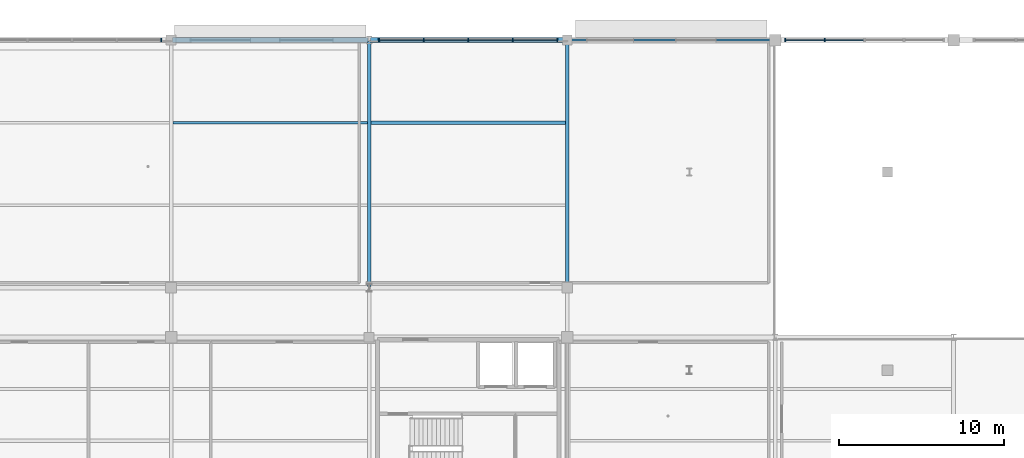
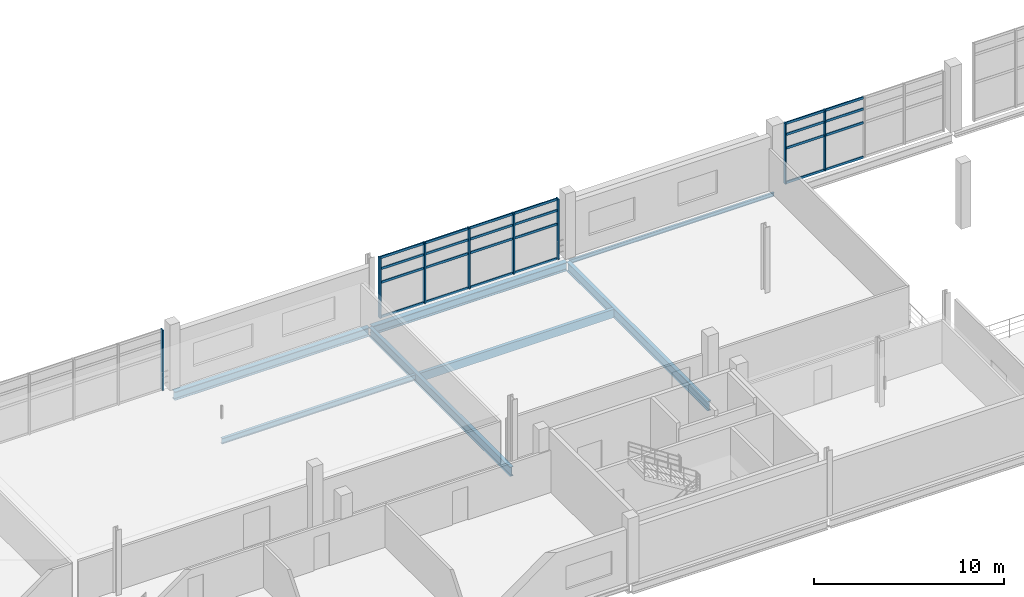
# One storey, part 51 of 89: 32 members, 7 beams, 3 elements without a shape of their own.
"""IFC4 building model written with IfcOpenShell, lengths in metres."""

from ifc_helpers import new_model, si_unit, direction, frame, origin, origin_2d, place, context, subcontext, project, spatial, rectangle, i_section, extrude, material, material_profile, profile_set, type_object, element, aggregate, save


model = new_model("IFC4")

# Units and contexts
model_context = context("Model", 3, precision=1e-05, world=origin(), true_north=direction((0.0, 1.0)))
body_context = subcontext(model_context, "Body", "Model", "MODEL_VIEW")
ifc_project = project(units=[si_unit("LENGTHUNIT", "METRE"), si_unit("AREAUNIT", "SQUARE_METRE"), si_unit("VOLUMEUNIT", "CUBIC_METRE"), si_unit("PLANEANGLEUNIT", "RADIAN"), si_unit("MASSUNIT", "GRAM", prefix="KILO"), si_unit("THERMODYNAMICTEMPERATUREUNIT", "KELVIN"), si_unit("POWERUNIT", "WATT")], contexts=[model_context])

# Site, building, storey
site_placement = place(None, origin())
site = spatial("IfcSite", under=ifc_project, at=site_placement, CompositionType="ELEMENT")
building_placement = place(site_placement, origin())
building = spatial("IfcBuilding", under=site, at=building_placement, Name="Solmara Park Aquatics Centre", CompositionType="ELEMENT")
storey_placement = place(building_placement, frame((0.0, 0.0, 5.39990234375)))
storey = spatial("IfcBuildingStorey", under=building, at=storey_placement, Name="L01", CompositionType="ELEMENT", Elevation=5.39990234375)

# Curtain wall, member
ifc_material_1 = material(Name="Anodised Aluminium Curtain Wall Framing", Category="aluminium")
curtain_wall_type_1 = type_object("IfcCurtainWallType", Name="ARC-CW-SYS04", PredefinedType="USERDEFINED", material=ifc_material_1)
curtain_wall_1_placement = place(storey_placement, origin())
curtain_wall_1 = element("IfcCurtainWall", 1, at=curtain_wall_1_placement, inside=storey, type_object=curtain_wall_type_1, Name="Curtain Wall CW-118", ObjectType="CURTAIN WALL", PredefinedType="USERDEFINED")
ifc_material_2 = material(Name="Anodised Aluminium Alloy 6063-T6", Category="aluminium")
ifc_material_profile_1 = material_profile(ifc_material_2, rectangle(XDim=0.074951171875, YDim=0.219970703125, at=origin_2d()), Name="ALU MULLION 75x220")
ifc_profile_set_1 = profile_set([ifc_material_profile_1], Name="Anodised Aluminium Alloy 6063-T6")
member_type_1 = type_object("IfcMemberType", Name="ARC-CWM-75x220", PredefinedType="MULLION", material=ifc_profile_set_1)
member_1_placement = place(storey_placement, frame((72.0, 136.0, 0.0), z_axis=(0.0, 0.0, 1.0), x_axis=(1.0, 0.0, 0.0)))
member_1 = element("IfcMember", 2, at=member_1_placement, type_object=member_type_1, Name="CW-118 mullion 5", PredefinedType="MULLION", context=body_context, shape_type="SweptSolid", body=[
    extrude(rectangle(XDim=0.074951171875, YDim=0.219970703125, at=origin_2d()), origin(), (0.0, 0.0, 1.0), 3.880126953125),
])
aggregate(curtain_wall_1, [member_1])

# Curtain wall, members
curtain_wall_2_placement = place(storey_placement, origin())
curtain_wall_2 = element("IfcCurtainWall", 3, at=curtain_wall_2_placement, inside=storey, type_object=curtain_wall_type_1, Name="Curtain Wall CW-119", ObjectType="CURTAIN WALL", PredefinedType="USERDEFINED")
member_2_placement = place(storey_placement, frame((85.199951171875, 136.0, 0.0), z_axis=(0.0, 0.0, 1.0), x_axis=(1.0, 0.0, 0.0)))
member_2 = element("IfcMember", 4, at=member_2_placement, type_object=member_type_1, Name="CW-119 mullion 1", PredefinedType="MULLION", context=body_context, shape_type="SweptSolid", body=[
    extrude(rectangle(XDim=0.074951171875, YDim=0.219970703125, at=origin_2d()), origin(), (0.0, 0.0, 1.0), 3.880126953125),
])
member_3_placement = place(storey_placement, frame((87.89990234375, 136.0, 0.0), z_axis=(0.0, 0.0, 1.0), x_axis=(1.0, 0.0, 0.0)))
member_3 = element("IfcMember", 5, at=member_3_placement, type_object=member_type_1, Name="CW-119 mullion 2", PredefinedType="MULLION", context=body_context, shape_type="SweptSolid", body=[
    extrude(rectangle(XDim=0.074951171875, YDim=0.219970703125, at=origin_2d()), origin(), (0.0, 0.0, 1.0), 3.880126953125),
])
member_4_placement = place(storey_placement, frame((90.60009765625, 136.0, 0.0), z_axis=(0.0, 0.0, 1.0), x_axis=(1.0, 0.0, 0.0)))
member_4 = element("IfcMember", 6, at=member_4_placement, type_object=member_type_1, Name="CW-119 mullion 3", PredefinedType="MULLION", context=body_context, shape_type="SweptSolid", body=[
    extrude(rectangle(XDim=0.074951171875, YDim=0.219970703125, at=origin_2d()), origin(), (0.0, 0.0, 1.0), 3.880126953125),
])
member_5_placement = place(storey_placement, frame((93.300048828125, 136.0, 0.0), z_axis=(0.0, 0.0, 1.0), x_axis=(1.0, 0.0, 0.0)))
member_5 = element("IfcMember", 7, at=member_5_placement, type_object=member_type_1, Name="CW-119 mullion 4", PredefinedType="MULLION", context=body_context, shape_type="SweptSolid", body=[
    extrude(rectangle(XDim=0.074951171875, YDim=0.219970703125, at=origin_2d()), origin(), (0.0, 0.0, 1.0), 3.880126953125),
])
member_6_placement = place(storey_placement, frame((96.0, 136.0, 0.0), z_axis=(0.0, 0.0, 1.0), x_axis=(1.0, 0.0, 0.0)))
member_6 = element("IfcMember", 8, at=member_6_placement, type_object=member_type_1, Name="CW-119 mullion 5", PredefinedType="MULLION", context=body_context, shape_type="SweptSolid", body=[
    extrude(rectangle(XDim=0.074951171875, YDim=0.219970703125, at=origin_2d()), origin(), (0.0, 0.0, 1.0), 3.880126953125),
])

curtain_wall_type_2 = type_object("IfcCurtainWallType", Name="ARC-CW-SYS03", PredefinedType="USERDEFINED", material=ifc_material_1)
curtain_wall_3_placement = place(storey_placement, origin())
curtain_wall_3 = element("IfcCurtainWall", 9, at=curtain_wall_3_placement, inside=storey, type_object=curtain_wall_type_2, Name="Curtain Wall CW-120", ObjectType="CURTAIN WALL", PredefinedType="USERDEFINED")
member_7_placement = place(storey_placement, frame((109.800048828125, 136.0, 0.0), z_axis=(0.0, 0.0, 1.0), x_axis=(1.0, 0.0, 0.0)))
member_7 = element("IfcMember", 10, at=member_7_placement, type_object=member_type_1, Name="CW-120 mullion 1", PredefinedType="MULLION", context=body_context, shape_type="SweptSolid", body=[
    extrude(rectangle(XDim=0.074951171875, YDim=0.219970703125, at=origin_2d()), origin(), (0.0, 0.0, 1.0), 3.880126953125),
])
member_8_placement = place(storey_placement, frame((112.199951171875, 136.0, 0.0), z_axis=(0.0, 0.0, 1.0), x_axis=(1.0, 0.0, 0.0)))
member_8 = element("IfcMember", 11, at=member_8_placement, type_object=member_type_1, Name="CW-120 mullion 2", PredefinedType="MULLION", context=body_context, shape_type="SweptSolid", body=[
    extrude(rectangle(XDim=0.074951171875, YDim=0.219970703125, at=origin_2d()), origin(), (0.0, 0.0, 1.0), 3.880126953125),
])

# Member
ifc_material_profile_2 = material_profile(ifc_material_2, rectangle(XDim=0.074951171875, YDim=0.14990234375, at=origin_2d()), Name="ALU TRANSOM 75x150")
ifc_profile_set_2 = profile_set([ifc_material_profile_2], Name="Anodised Aluminium Alloy 6063-T6")
member_type_2 = type_object("IfcMemberType", Name="ARC-CWT-75x150", PredefinedType="USERDEFINED", material=ifc_profile_set_2)
member_9_placement = place(storey_placement, frame((85.219970703125, 136.0, 0.0400390625), z_axis=(1.0, 0.0, 0.0), x_axis=(0.0, 1.0, 0.0)))
member_9 = element("IfcMember", 12, at=member_9_placement, type_object=member_type_2, Name="CW-119 transom 1", ObjectType="TRANSOM", PredefinedType="USERDEFINED", context=body_context, shape_type="SweptSolid", body=[
    extrude(rectangle(XDim=0.074951171875, YDim=0.14990234375, at=origin_2d()), origin(), (0.0, 0.0, 1.0), 2.6201171875),
])

member_10_placement = place(storey_placement, frame((85.219970703125, 136.0, 2.25048828125), z_axis=(1.0, 0.0, 0.0), x_axis=(0.0, 1.0, 0.0)))
member_10 = element("IfcMember", 13, at=member_10_placement, type_object=member_type_2, Name="CW-119 transom 2", ObjectType="TRANSOM", PredefinedType="USERDEFINED", context=body_context, shape_type="SweptSolid", body=[
    extrude(rectangle(XDim=0.074951171875, YDim=0.14990234375, at=origin_2d()), origin(), (0.0, 0.0, 1.0), 2.6201171875),
])

member_11_placement = place(storey_placement, frame((85.219970703125, 136.0, 3.130126953125), z_axis=(1.0, 0.0, 0.0), x_axis=(0.0, 1.0, 0.0)))
member_11 = element("IfcMember", 14, at=member_11_placement, type_object=member_type_2, Name="CW-119 transom 3", ObjectType="TRANSOM", PredefinedType="USERDEFINED", context=body_context, shape_type="SweptSolid", body=[
    extrude(rectangle(XDim=0.074951171875, YDim=0.14990234375, at=origin_2d()), origin(), (0.0, 0.0, 1.0), 2.6201171875),
])

member_12_placement = place(storey_placement, frame((85.219970703125, 136.0, 3.840087890625), z_axis=(1.0, 0.0, 0.0), x_axis=(0.0, 1.0, 0.0)))
member_12 = element("IfcMember", 15, at=member_12_placement, type_object=member_type_2, Name="CW-119 transom 4", ObjectType="TRANSOM", PredefinedType="USERDEFINED", context=body_context, shape_type="SweptSolid", body=[
    extrude(rectangle(XDim=0.074951171875, YDim=0.14990234375, at=origin_2d()), origin(), (0.0, 0.0, 1.0), 2.6201171875),
])

member_13_placement = place(storey_placement, frame((87.919921875, 136.0, 0.0400390625), z_axis=(1.0, 0.0, 0.0), x_axis=(0.0, 1.0, 0.0)))
member_13 = element("IfcMember", 16, at=member_13_placement, type_object=member_type_2, Name="CW-119 transom 5", ObjectType="TRANSOM", PredefinedType="USERDEFINED", context=body_context, shape_type="SweptSolid", body=[
    extrude(rectangle(XDim=0.074951171875, YDim=0.14990234375, at=origin_2d()), origin(), (0.0, 0.0, 1.0), 2.6201171875),
])

member_14_placement = place(storey_placement, frame((87.919921875, 136.0, 2.25048828125), z_axis=(1.0, 0.0, 0.0), x_axis=(0.0, 1.0, 0.0)))
member_14 = element("IfcMember", 17, at=member_14_placement, type_object=member_type_2, Name="CW-119 transom 6", ObjectType="TRANSOM", PredefinedType="USERDEFINED", context=body_context, shape_type="SweptSolid", body=[
    extrude(rectangle(XDim=0.074951171875, YDim=0.14990234375, at=origin_2d()), origin(), (0.0, 0.0, 1.0), 2.6201171875),
])

member_15_placement = place(storey_placement, frame((87.919921875, 136.0, 3.130126953125), z_axis=(1.0, 0.0, 0.0), x_axis=(0.0, 1.0, 0.0)))
member_15 = element("IfcMember", 18, at=member_15_placement, type_object=member_type_2, Name="CW-119 transom 7", ObjectType="TRANSOM", PredefinedType="USERDEFINED", context=body_context, shape_type="SweptSolid", body=[
    extrude(rectangle(XDim=0.074951171875, YDim=0.14990234375, at=origin_2d()), origin(), (0.0, 0.0, 1.0), 2.6201171875),
])

member_16_placement = place(storey_placement, frame((87.919921875, 136.0, 3.840087890625), z_axis=(1.0, 0.0, 0.0), x_axis=(0.0, 1.0, 0.0)))
member_16 = element("IfcMember", 19, at=member_16_placement, type_object=member_type_2, Name="CW-119 transom 8", ObjectType="TRANSOM", PredefinedType="USERDEFINED", context=body_context, shape_type="SweptSolid", body=[
    extrude(rectangle(XDim=0.074951171875, YDim=0.14990234375, at=origin_2d()), origin(), (0.0, 0.0, 1.0), 2.6201171875),
])

member_17_placement = place(storey_placement, frame((90.6201171875, 136.0, 0.0400390625), z_axis=(1.0, 0.0, 0.0), x_axis=(0.0, 1.0, 0.0)))
member_17 = element("IfcMember", 20, at=member_17_placement, type_object=member_type_2, Name="CW-119 transom 9", ObjectType="TRANSOM", PredefinedType="USERDEFINED", context=body_context, shape_type="SweptSolid", body=[
    extrude(rectangle(XDim=0.074951171875, YDim=0.14990234375, at=origin_2d()), origin(), (0.0, 0.0, 1.0), 2.619873046875),
])

member_18_placement = place(storey_placement, frame((90.6201171875, 136.0, 2.25048828125), z_axis=(1.0, 0.0, 0.0), x_axis=(0.0, 1.0, 0.0)))
member_18 = element("IfcMember", 21, at=member_18_placement, type_object=member_type_2, Name="CW-119 transom 10", ObjectType="TRANSOM", PredefinedType="USERDEFINED", context=body_context, shape_type="SweptSolid", body=[
    extrude(rectangle(XDim=0.074951171875, YDim=0.14990234375, at=origin_2d()), origin(), (0.0, 0.0, 1.0), 2.619873046875),
])

member_19_placement = place(storey_placement, frame((90.6201171875, 136.0, 3.130126953125), z_axis=(1.0, 0.0, 0.0), x_axis=(0.0, 1.0, 0.0)))
member_19 = element("IfcMember", 22, at=member_19_placement, type_object=member_type_2, Name="CW-119 transom 11", ObjectType="TRANSOM", PredefinedType="USERDEFINED", context=body_context, shape_type="SweptSolid", body=[
    extrude(rectangle(XDim=0.074951171875, YDim=0.14990234375, at=origin_2d()), origin(), (0.0, 0.0, 1.0), 2.619873046875),
])

member_20_placement = place(storey_placement, frame((90.6201171875, 136.0, 3.840087890625), z_axis=(1.0, 0.0, 0.0), x_axis=(0.0, 1.0, 0.0)))
member_20 = element("IfcMember", 23, at=member_20_placement, type_object=member_type_2, Name="CW-119 transom 12", ObjectType="TRANSOM", PredefinedType="USERDEFINED", context=body_context, shape_type="SweptSolid", body=[
    extrude(rectangle(XDim=0.074951171875, YDim=0.14990234375, at=origin_2d()), origin(), (0.0, 0.0, 1.0), 2.619873046875),
])

member_21_placement = place(storey_placement, frame((93.320068359375, 136.0, 0.0400390625), z_axis=(1.0, 0.0, 0.0), x_axis=(0.0, 1.0, 0.0)))
member_21 = element("IfcMember", 24, at=member_21_placement, type_object=member_type_2, Name="CW-119 transom 13", ObjectType="TRANSOM", PredefinedType="USERDEFINED", context=body_context, shape_type="SweptSolid", body=[
    extrude(rectangle(XDim=0.074951171875, YDim=0.14990234375, at=origin_2d()), origin(), (0.0, 0.0, 1.0), 2.619873046875),
])

member_22_placement = place(storey_placement, frame((93.320068359375, 136.0, 2.25048828125), z_axis=(1.0, 0.0, 0.0), x_axis=(0.0, 1.0, 0.0)))
member_22 = element("IfcMember", 25, at=member_22_placement, type_object=member_type_2, Name="CW-119 transom 14", ObjectType="TRANSOM", PredefinedType="USERDEFINED", context=body_context, shape_type="SweptSolid", body=[
    extrude(rectangle(XDim=0.074951171875, YDim=0.14990234375, at=origin_2d()), origin(), (0.0, 0.0, 1.0), 2.619873046875),
])

member_23_placement = place(storey_placement, frame((93.320068359375, 136.0, 3.130126953125), z_axis=(1.0, 0.0, 0.0), x_axis=(0.0, 1.0, 0.0)))
member_23 = element("IfcMember", 26, at=member_23_placement, type_object=member_type_2, Name="CW-119 transom 15", ObjectType="TRANSOM", PredefinedType="USERDEFINED", context=body_context, shape_type="SweptSolid", body=[
    extrude(rectangle(XDim=0.074951171875, YDim=0.14990234375, at=origin_2d()), origin(), (0.0, 0.0, 1.0), 2.619873046875),
])

member_24_placement = place(storey_placement, frame((93.320068359375, 136.0, 3.840087890625), z_axis=(1.0, 0.0, 0.0), x_axis=(0.0, 1.0, 0.0)))
member_24 = element("IfcMember", 27, at=member_24_placement, type_object=member_type_2, Name="CW-119 transom 16", ObjectType="TRANSOM", PredefinedType="USERDEFINED", context=body_context, shape_type="SweptSolid", body=[
    extrude(rectangle(XDim=0.074951171875, YDim=0.14990234375, at=origin_2d()), origin(), (0.0, 0.0, 1.0), 2.619873046875),
])

aggregate(curtain_wall_2, [member_2, member_3, member_4, member_5, member_6, member_9, member_10, member_11, member_12, member_13, member_14, member_15, member_16, member_17, member_18, member_19, member_20, member_21, member_22, member_23, member_24])

member_25_placement = place(storey_placement, frame((109.820068359375, 136.0, 0.0400390625), z_axis=(1.0, 0.0, 0.0), x_axis=(0.0, 1.0, 0.0)))
member_25 = element("IfcMember", 28, at=member_25_placement, type_object=member_type_2, Name="CW-120 transom 1", ObjectType="TRANSOM", PredefinedType="USERDEFINED", context=body_context, shape_type="SweptSolid", body=[
    extrude(rectangle(XDim=0.074951171875, YDim=0.14990234375, at=origin_2d()), origin(), (0.0, 0.0, 1.0), 2.31982421875),
])

member_26_placement = place(storey_placement, frame((109.820068359375, 136.0, 2.25048828125), z_axis=(1.0, 0.0, 0.0), x_axis=(0.0, 1.0, 0.0)))
member_26 = element("IfcMember", 29, at=member_26_placement, type_object=member_type_2, Name="CW-120 transom 2", ObjectType="TRANSOM", PredefinedType="USERDEFINED", context=body_context, shape_type="SweptSolid", body=[
    extrude(rectangle(XDim=0.074951171875, YDim=0.14990234375, at=origin_2d()), origin(), (0.0, 0.0, 1.0), 2.31982421875),
])

member_27_placement = place(storey_placement, frame((109.820068359375, 136.0, 3.130126953125), z_axis=(1.0, 0.0, 0.0), x_axis=(0.0, 1.0, 0.0)))
member_27 = element("IfcMember", 30, at=member_27_placement, type_object=member_type_2, Name="CW-120 transom 3", ObjectType="TRANSOM", PredefinedType="USERDEFINED", context=body_context, shape_type="SweptSolid", body=[
    extrude(rectangle(XDim=0.074951171875, YDim=0.14990234375, at=origin_2d()), origin(), (0.0, 0.0, 1.0), 2.31982421875),
])

member_28_placement = place(storey_placement, frame((109.820068359375, 136.0, 3.840087890625), z_axis=(1.0, 0.0, 0.0), x_axis=(0.0, 1.0, 0.0)))
member_28 = element("IfcMember", 31, at=member_28_placement, type_object=member_type_2, Name="CW-120 transom 4", ObjectType="TRANSOM", PredefinedType="USERDEFINED", context=body_context, shape_type="SweptSolid", body=[
    extrude(rectangle(XDim=0.074951171875, YDim=0.14990234375, at=origin_2d()), origin(), (0.0, 0.0, 1.0), 2.31982421875),
])

member_29_placement = place(storey_placement, frame((112.219970703125, 136.0, 0.0400390625), z_axis=(1.0, 0.0, 0.0), x_axis=(0.0, 1.0, 0.0)))
member_29 = element("IfcMember", 32, at=member_29_placement, type_object=member_type_2, Name="CW-120 transom 5", ObjectType="TRANSOM", PredefinedType="USERDEFINED", context=body_context, shape_type="SweptSolid", body=[
    extrude(rectangle(XDim=0.074951171875, YDim=0.14990234375, at=origin_2d()), origin(), (0.0, 0.0, 1.0), 2.320068359375),
])

member_30_placement = place(storey_placement, frame((112.219970703125, 136.0, 2.25048828125), z_axis=(1.0, 0.0, 0.0), x_axis=(0.0, 1.0, 0.0)))
member_30 = element("IfcMember", 33, at=member_30_placement, type_object=member_type_2, Name="CW-120 transom 6", ObjectType="TRANSOM", PredefinedType="USERDEFINED", context=body_context, shape_type="SweptSolid", body=[
    extrude(rectangle(XDim=0.074951171875, YDim=0.14990234375, at=origin_2d()), origin(), (0.0, 0.0, 1.0), 2.320068359375),
])

member_31_placement = place(storey_placement, frame((112.219970703125, 136.0, 3.130126953125), z_axis=(1.0, 0.0, 0.0), x_axis=(0.0, 1.0, 0.0)))
member_31 = element("IfcMember", 34, at=member_31_placement, type_object=member_type_2, Name="CW-120 transom 7", ObjectType="TRANSOM", PredefinedType="USERDEFINED", context=body_context, shape_type="SweptSolid", body=[
    extrude(rectangle(XDim=0.074951171875, YDim=0.14990234375, at=origin_2d()), origin(), (0.0, 0.0, 1.0), 2.320068359375),
])

member_32_placement = place(storey_placement, frame((112.219970703125, 136.0, 3.840087890625), z_axis=(1.0, 0.0, 0.0), x_axis=(0.0, 1.0, 0.0)))
member_32 = element("IfcMember", 35, at=member_32_placement, type_object=member_type_2, Name="CW-120 transom 8", ObjectType="TRANSOM", PredefinedType="USERDEFINED", context=body_context, shape_type="SweptSolid", body=[
    extrude(rectangle(XDim=0.074951171875, YDim=0.14990234375, at=origin_2d()), origin(), (0.0, 0.0, 1.0), 2.320068359375),
])

aggregate(curtain_wall_3, [member_7, member_8, member_25, member_26, member_27, member_28, member_29, member_30, member_31, member_32])

# Beams
ifc_material_3 = material(Name="Structural Steel S355", Category="steel")
ifc_material_profile_3 = material_profile(ifc_material_3, i_section(OverallWidth=0.300048828125, OverallDepth=0.550048828125, WebThickness=0.014892578125, FlangeThickness=0.029052734375, FilletRadius=0.027099609375, at=origin_2d()), Name="HEB 550")
ifc_profile_set_3 = profile_set([ifc_material_profile_3], Name="Structural Steel S355")
beam_type_1 = type_object("IfcBeamType", Name="STR-BM-HEB550", PredefinedType="BEAM", material=ifc_profile_set_3)
for number, where, z_axis, x_axis, name in (
    (36, (72.679931640625, 136.0, -0.594970703125), (1.0, 0.0, 0.0), (0.0, 1.0, 0.0), "Girder BM-L01-0314"),
    (37, (84.679931640625, 136.0, -0.594970703125), (1.0, 0.0, 0.0), (0.0, 1.0, 0.0), "Girder BM-L01-0315"),
):
    element("IfcBeam", number, at=place(storey_placement, frame(where, z_axis=z_axis, x_axis=x_axis)), inside=storey, type_object=beam_type_1, Name=name, PredefinedType="BEAM", context=body_context, shape_type="SweptSolid", body=[
        extrude(i_section(OverallWidth=0.300048828125, OverallDepth=0.550048828125, WebThickness=0.014892578125, FlangeThickness=0.029052734375, FilletRadius=0.027099609375, at=origin_2d()), origin(), (0.0, 0.0, 1.0), 11.840087890625),
    ])
ifc_material_profile_4 = material_profile(ifc_material_3, i_section(OverallWidth=0.219970703125, OverallDepth=0.60009765625, WebThickness=0.011962890625, FlangeThickness=0.01904296875, FilletRadius=0.02392578125, at=origin_2d()), Name="IPE 600")
ifc_profile_set_4 = profile_set([ifc_material_profile_4], Name="Structural Steel S355")
beam_type_2 = type_object("IfcBeamType", Name="STR-BM-IPE600", PredefinedType="BEAM", material=ifc_profile_set_4)
for number, where, z_axis, x_axis, name in (
    (38, (84.60009765625, 121.080078125, -0.619873046875), (0.0, 1.0, 0.0), (-1.0, 0.0, 0.0), "Girder BM-L01-0335"),
    (39, (96.60009765625, 121.080078125, -0.619873046875), (0.0, 1.0, 0.0), (-1.0, 0.0, 0.0), "Girder BM-L01-0338"),
):
    element("IfcBeam", number, at=place(storey_placement, frame(where, z_axis=z_axis, x_axis=x_axis)), inside=storey, type_object=beam_type_2, Name=name, PredefinedType="BEAM", context=body_context, shape_type="SweptSolid", body=[
        extrude(i_section(OverallWidth=0.219970703125, OverallDepth=0.60009765625, WebThickness=0.011962890625, FlangeThickness=0.01904296875, FilletRadius=0.02392578125, at=origin_2d()), origin(), (0.0, 0.0, 1.0), 14.83984375),
    ])
ifc_material_4 = material(Name="Glulam Timber GL28h", Category="wood")
ifc_material_profile_5 = material_profile(ifc_material_4, rectangle(XDim=0.199951171875, YDim=0.5400390625, at=origin_2d()), Name="GL28h 200x540")
ifc_profile_set_5 = profile_set([ifc_material_profile_5], Name="Glulam Timber GL28h")
beam_type_3 = type_object("IfcBeamType", Name="STR-JST-GL200x540", PredefinedType="JOIST", material=ifc_profile_set_5)
beam_1_placement = place(storey_placement, frame((84.7099609375, 131.0, -0.58984375), z_axis=(1.0, 0.0, 0.0), x_axis=(0.0, 1.0, 0.0)))
element("IfcBeam", 40, at=beam_1_placement, inside=storey, type_object=beam_type_3, Name="Floor Joist JST-L01-0204", PredefinedType="JOIST", context=body_context, shape_type="SweptSolid", body=[
    extrude(rectangle(XDim=0.199951171875, YDim=0.5400390625, at=origin_2d()), origin(), (0.0, 0.0, 1.0), 11.780029296875),
])
ifc_material_profile_6 = material_profile(ifc_material_3, i_section(OverallWidth=0.169921875, OverallDepth=0.360107421875, WebThickness=0.008056640625, FlangeThickness=0.0126953125, FilletRadius=0.01806640625, at=origin_2d()), Name="IPE 360")
ifc_profile_set_6 = profile_set([ifc_material_profile_6], Name="Structural Steel S355")
beam_type_4 = type_object("IfcBeamType", Name="STR-JST-IPE360", PredefinedType="JOIST", material=ifc_profile_set_6)
beam_2_placement = place(storey_placement, frame((72.7099609375, 131.0, -0.5), z_axis=(1.0, 0.0, 0.0), x_axis=(0.0, 1.0, 0.0)))
element("IfcBeam", 41, at=beam_2_placement, inside=storey, type_object=beam_type_4, Name="Floor Joist JST-L01-0201", PredefinedType="JOIST", context=body_context, shape_type="SweptSolid", body=[
    extrude(i_section(OverallWidth=0.169921875, OverallDepth=0.360107421875, WebThickness=0.008056640625, FlangeThickness=0.0126953125, FilletRadius=0.01806640625, at=origin_2d()), origin(), (0.0, 0.0, 1.0), 11.780029296875),
])
ifc_material_profile_7 = material_profile(ifc_material_3, i_section(OverallWidth=0.1201171875, OverallDepth=0.239990234375, WebThickness=0.006103515625, FlangeThickness=0.009765625, FilletRadius=0.014892578125, at=origin_2d()), Name="IPE 240")
ifc_profile_set_7 = profile_set([ifc_material_profile_7], Name="Structural Steel S355")
beam_type_5 = type_object("IfcBeamType", Name="STR-SPD-IPE240", PredefinedType="SPANDREL", material=ifc_profile_set_7)
beam_3_placement = place(storey_placement, frame((96.679931640625, 136.0, -0.43994140625), z_axis=(1.0, 0.0, 0.0), x_axis=(0.0, 1.0, 0.0)))
element("IfcBeam", 42, at=beam_3_placement, inside=storey, type_object=beam_type_5, Name="Girder BM-L01-0316", PredefinedType="SPANDREL", context=body_context, shape_type="SweptSolid", body=[
    extrude(i_section(OverallWidth=0.1201171875, OverallDepth=0.239990234375, WebThickness=0.006103515625, FlangeThickness=0.009765625, FilletRadius=0.014892578125, at=origin_2d()), origin(), (0.0, 0.0, 1.0), 12.440185546875),
])

save(model, "model.ifc")
